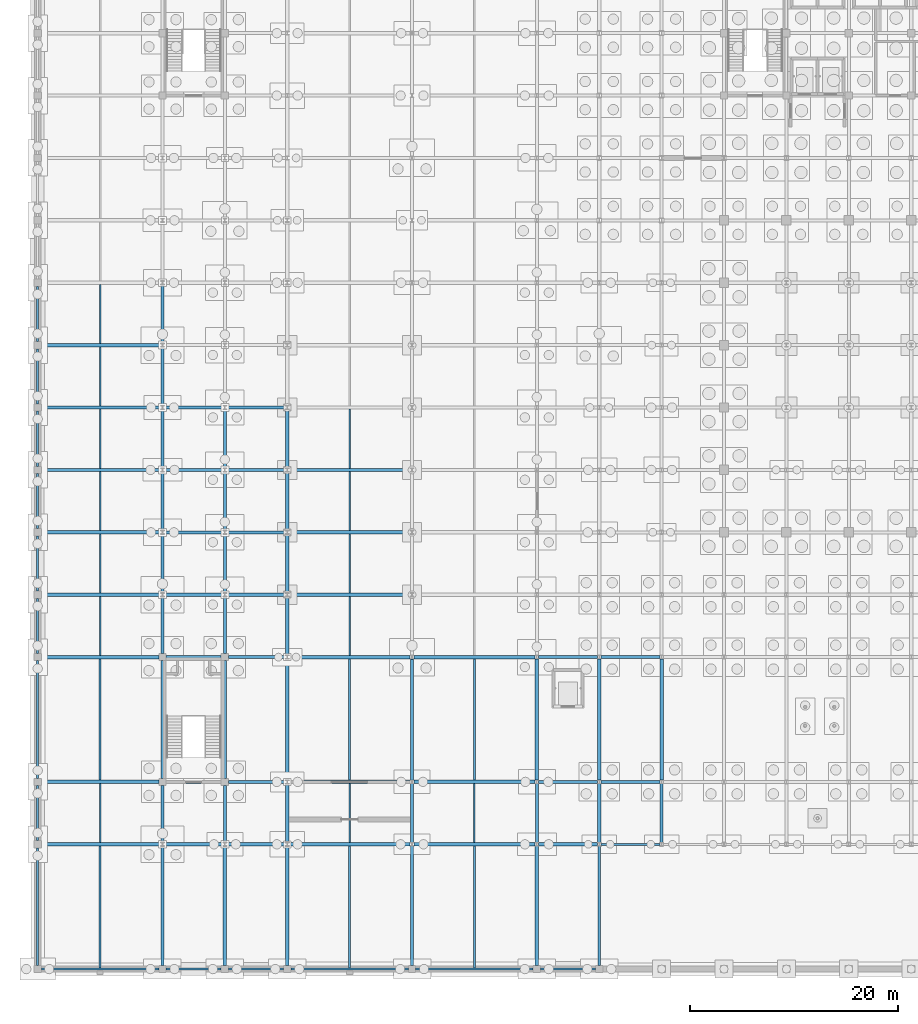
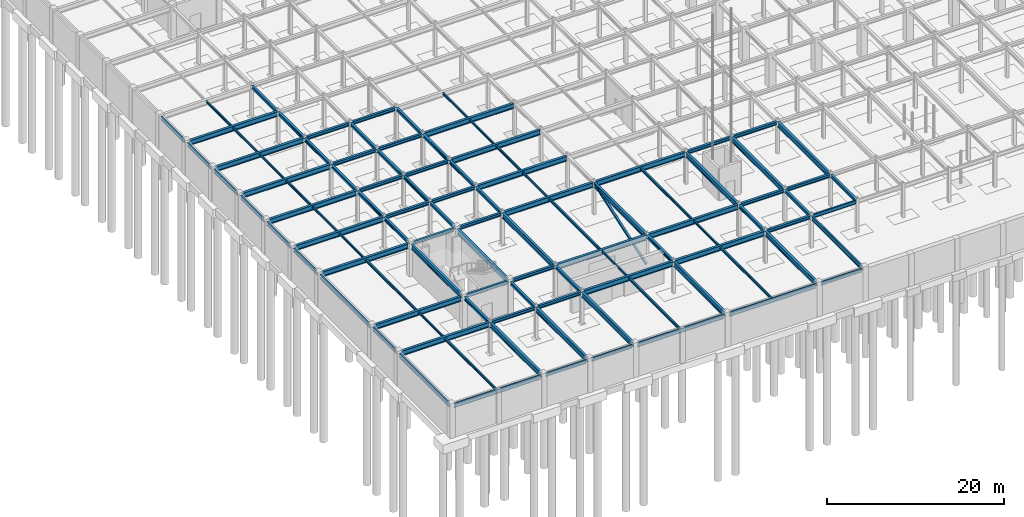
# One storey, part 34 of 69: 105 beams, 1 member.
"""IFC4 building model written with IfcOpenShell, lengths in metres."""

import ifcopenshell
import ifcopenshell.guid

model = None  # the IFC model being written
_history = None  # IfcOwnerHistory: only IFC2X3 demands one
_inside = {}  # id of a spatial element -> (the spatial element, [elements in it])
_under = {}  # id of a project, library or spatial element -> (it, [spatial elements below it])
_declared = {}  # id of a project -> (the project, [libraries it declares])
_typed = {}  # id of a type object -> (the type object, [elements of that type])
_made_of = {}  # id of a material, layer set ... -> (it, [elements and type objects made of it])


def new_model(schema):
    """Start an empty IFC model of exactly this schema.

    Asked for "IFC4X3", IfcOpenShell would pick the latest addendum, in which some entities
    have other attributes; the version numbers below select the first issue.
    IFC2X3 requires an IfcOwnerHistory on every rooted entity: one is made here for all.
    """
    global model, _history
    if schema == "IFC4X3":
        model = ifcopenshell.file(schema_version=(4, 3, 0, 0))
    else:
        model = ifcopenshell.file(schema=schema)
    _inside.clear()
    _under.clear()
    _declared.clear()
    _typed.clear()
    _made_of.clear()
    _history = None
    if model.schema == "IFC2X3":
        org = make("IfcOrganization", Name="unknown")
        user = make(
            "IfcPersonAndOrganization",
            ThePerson=make("IfcPerson", FamilyName="unknown"),
            TheOrganization=org,
        )
        app = make(
            "IfcApplication",
            ApplicationDeveloper=org,
            Version="unknown",
            ApplicationFullName="unknown",
            ApplicationIdentifier="unknown",
        )
        _history = make(
            "IfcOwnerHistory",
            OwningUser=user,
            OwningApplication=app,
            ChangeAction="ADDED",
            CreationDate=0,
        )
    return model


def make(cls, **values):
    """One entity of the class cls with the attributes given. An attribute that is None is left unset."""
    return model.create_entity(
        cls, **{name: value for name, value in values.items() if value is not None}
    )


def rooted(cls, **values):
    """An entity with a GlobalId (a new one), such as an element, a storey or a relation."""
    return make(cls, GlobalId=ifcopenshell.guid.new(), OwnerHistory=_history, **values)


def si_unit(unit_type, name, prefix=None):
    """IfcSIUnit, for example si_unit("LENGTHUNIT", "METRE", prefix="MILLI")."""
    return make("IfcSIUnit", UnitType=unit_type, Prefix=prefix, Name=name)


def assignment(units):
    """IfcUnitAssignment: the units of a project."""
    return None if units is None else make("IfcUnitAssignment", Units=units)


def point(xyz):
    """IfcCartesianPoint."""
    return None if xyz is None else make("IfcCartesianPoint", Coordinates=xyz)


def direction(xyz):
    """IfcDirection."""
    return None if xyz is None else make("IfcDirection", DirectionRatios=xyz)


def frame(location, z_axis=None, x_axis=None):
    """IfcAxis2Placement3D, a coordinate frame: its origin and axes. An axis left out is left unset."""
    return make(
        "IfcAxis2Placement3D",
        Location=point(location),
        Axis=direction(z_axis),
        RefDirection=direction(x_axis),
    )


def frame_2d(location, x_axis=None):
    """IfcAxis2Placement2D, a coordinate frame in the plane: its origin and x axis."""
    return make(
        "IfcAxis2Placement2D", Location=point(location), RefDirection=direction(x_axis)
    )


def origin():
    """The frame at (0, 0, 0) with its axes left unset."""
    return frame((0.0, 0.0, 0.0))


def origin_2d():
    """The frame at (0, 0) in the plane with its x axis left unset."""
    return frame_2d((0.0, 0.0))


def place(relative_to, where):
    """IfcLocalPlacement: puts the frame where relative to a parent placement (None: the world)."""
    return make(
        "IfcLocalPlacement", PlacementRelTo=relative_to, RelativePlacement=where
    )


def context(
    kind, dimensions, precision=None, world=None, true_north=None, identifier=None
):
    """IfcGeometricRepresentationContext, for example the 3D "Model" context."""
    return make(
        "IfcGeometricRepresentationContext",
        ContextIdentifier=identifier,
        ContextType=kind,
        CoordinateSpaceDimension=dimensions,
        Precision=precision,
        WorldCoordinateSystem=world,
        TrueNorth=true_north,
    )


def subcontext(parent, identifier, kind, view, scale=None):
    """IfcGeometricRepresentationSubContext, for example "Body" below "Model"."""
    return make(
        "IfcGeometricRepresentationSubContext",
        ContextIdentifier=identifier,
        ContextType=kind,
        ParentContext=parent,
        TargetScale=scale,
        TargetView=view,
    )


def project(units=None, contexts=None):
    """IfcProject with its units and contexts."""
    return rooted(
        "IfcProject",
        Name="project",
        RepresentationContexts=contexts,
        UnitsInContext=assignment(units),
    )


def spatial(cls, under=None, at=None, **own):
    """A site, building, storey or space (cls), placed at a placement, below another one or the project."""
    s = rooted(cls, ObjectPlacement=at, **own)
    if under is not None:
        _under.setdefault(under.id(), (under, []))[1].append(s)
    return s


def profile(cls, at=None, kind="AREA", **sizes):
    """A parametric profile (cls). Its sizes go by their IFC names, for example OverallWidth=200.0."""
    return make(cls, ProfileType=kind, Position=at, **sizes)


def hollow_rectangle(**sizes):
    """IfcRectangleHollowProfileDef."""
    return profile("IfcRectangleHollowProfileDef", **sizes)


def i_section(**sizes):
    """IfcIShapeProfileDef."""
    return profile("IfcIShapeProfileDef", **sizes)


def extrude(swept, where, along, depth):
    """IfcExtrudedAreaSolid: the profile swept, set in the frame where, extruded along a direction by depth."""
    return make(
        "IfcExtrudedAreaSolid",
        SweptArea=swept,
        Position=where,
        ExtrudedDirection=direction(along),
        Depth=depth,
    )


def shape(context_of_items, identifier, shape_type, items):
    """IfcShapeRepresentation: the items that make up one representation, for example the "Body"."""
    return make(
        "IfcShapeRepresentation",
        ContextOfItems=context_of_items,
        RepresentationIdentifier=identifier,
        RepresentationType=shape_type,
        Items=items,
    )


def material(Name=None, Category=None):
    """IfcMaterial."""
    return make("IfcMaterial", Name=Name, Category=Category)


def material_profile(
    of_material, cross_section, Name=None, Category=None, Priority=None
):
    """IfcMaterialProfile: a cross section and its material."""
    return make(
        "IfcMaterialProfile",
        Name=Name,
        Material=of_material,
        Profile=cross_section,
        Priority=Priority,
        Category=Category,
    )


def profile_set(profiles, Name=None, composite=None):
    """IfcMaterialProfileSet."""
    return make(
        "IfcMaterialProfileSet",
        Name=Name,
        MaterialProfiles=profiles,
        CompositeProfile=composite,
    )


def made_of(thing, what):
    """Note that an element or type object is made of a material, layer set ...; save() writes the relation."""
    if what is not None:
        _made_of.setdefault(what.id(), (what, []))[1].append(thing)
    return thing


def type_object(cls, material=None, **own):
    """A type object (cls), such as IfcWallType, which elements share."""
    return made_of(rooted(cls, **own), material)


def element(
    cls,
    number,
    at=None,
    inside=None,
    cuts=None,
    type_object=None,
    material=None,
    context=None,
    identifier="Body",
    shape_type=None,
    held_by="IfcProductDefinitionShape",
    body=None,
    shapes=None,
    **own,
):
    """One element of the class cls, such as IfcWall. Its Tag is "e" and its number.

    at: its placement. inside: the storey or other place that contains it. cuts: it is an
    opening in that element (IfcRelVoidsElement). A single representation is given by context,
    identifier, shape_type and body (its items); several are given by shapes. held_by: the class
    of the entity that holds the representations. save() writes the other relations.
    """
    e = rooted(cls, Tag="e%d" % number, ObjectPlacement=at, **own)
    if body is not None:
        shapes = [shape(context, identifier, shape_type, body)]
    if shapes is not None:
        e.Representation = make(held_by, Representations=shapes)
    if inside is not None:
        _inside.setdefault(inside.id(), (inside, []))[1].append(e)
    if cuts is not None:
        rooted(
            "IfcRelVoidsElement", RelatingBuildingElement=cuts, RelatedOpeningElement=e
        )
    if type_object is not None:
        _typed.setdefault(type_object.id(), (type_object, []))[1].append(e)
    return made_of(e, material)


def aggregate(whole, parts):
    """IfcRelAggregates: a whole, such as a stair, and the parts it consists of."""
    return rooted("IfcRelAggregates", RelatingObject=whole, RelatedObjects=parts)


def save(model, path):
    """Write the relations noted so far, then the file.

    IfcRelAggregates (storeys below a building ...), IfcRelContainedInSpatialStructure (elements
    in a storey), IfcRelDefinesByType, IfcRelAssociatesMaterial and IfcRelDeclares: one each for
    every whole, place, type object, material and project.
    """
    for whole, parts in _under.values():
        aggregate(whole, parts)
    for where, things in _inside.values():
        rooted(
            "IfcRelContainedInSpatialStructure",
            RelatedElements=things,
            RelatingStructure=where,
        )
    for kind, things in _typed.values():
        rooted("IfcRelDefinesByType", RelatedObjects=things, RelatingType=kind)
    for what, things in _made_of.values():
        rooted("IfcRelAssociatesMaterial", RelatedObjects=things, RelatingMaterial=what)
    for by, libraries in _declared.values():
        rooted("IfcRelDeclares", RelatingContext=by, RelatedDefinitions=libraries)
    model.write(path)


model = new_model("IFC4")

# Units and contexts
model_context = context("Model", 3, precision=1e-05, world=origin(), true_north=direction((0.0, 1.0)))
body_context = subcontext(model_context, "Body", "Model", "MODEL_VIEW")
ifc_project = project(units=[si_unit("LENGTHUNIT", "METRE"), si_unit("AREAUNIT", "SQUARE_METRE"), si_unit("VOLUMEUNIT", "CUBIC_METRE"), si_unit("PLANEANGLEUNIT", "RADIAN"), si_unit("MASSUNIT", "GRAM", prefix="KILO")], contexts=[model_context])

# Site, building, storey
site_placement = place(None, origin())
site = spatial("IfcSite", under=ifc_project, at=site_placement, CompositionType="ELEMENT")
building_placement = place(site_placement, origin())
building = spatial("IfcBuilding", under=site, at=building_placement, Name="Zlatovratsky Civic Hall", CompositionType="ELEMENT")
storey_placement = place(building_placement, frame((0.0, 0.0, -4.800048828125)))
storey = spatial("IfcBuildingStorey", under=building, at=storey_placement, Name="B1", CompositionType="ELEMENT", Elevation=-4.800048828125)

# Beams
ifc_material = material(Name="Steel S355", Category="steel")
ifc_material_profile_1 = material_profile(ifc_material, i_section(OverallWidth=0.320068359375, OverallDepth=0.68310546875, WebThickness=0.012939453125, FlangeThickness=0.01904296875, FilletRadius=0.02587890625, at=origin_2d()), Name="70Sh1")
ifc_profile_set_1 = profile_set([ifc_material_profile_1], Name="Steel S355")
beam_type_1 = type_object("IfcBeamType", Name="Beam_HallGirder_70Sh1", PredefinedType="BEAM", material=ifc_profile_set_1)
beam_1_placement = place(storey_placement, frame((0.35009765625, 12.0, 4.138427734375), z_axis=(1.0, 0.0, 0.0), x_axis=(0.0, 1.0, 0.0)))
element("IfcBeam", 1, at=beam_1_placement, inside=storey, type_object=beam_type_1, Name="BM-0013", PredefinedType="BEAM", context=body_context, shape_type="SweptSolid", body=[
    extrude(i_section(OverallWidth=0.320068359375, OverallDepth=0.68310546875, WebThickness=0.012939453125, FlangeThickness=0.01904296875, FilletRadius=0.02587890625, at=origin_2d()), origin(), (0.0, 0.0, 1.0), 11.474853515625),
])
for number, where, z_axis, x_axis, name in (
    (2, (24.175048828125, 12.0, 4.138427734375), (1.0, 0.0, 0.0), (0.0, 1.0, 0.0), "BM-0016"),
    (3, (36.175048828125, 12.0, 4.138427734375), (1.0, 0.0, 0.0), (0.0, 1.0, 0.0), "BM-0017"),
):
    element("IfcBeam", number, at=place(storey_placement, frame(where, z_axis=z_axis, x_axis=x_axis)), inside=storey, type_object=beam_type_1, Name=name, PredefinedType="BEAM", context=body_context, shape_type="SweptSolid", body=[
        extrude(i_section(OverallWidth=0.320068359375, OverallDepth=0.68310546875, WebThickness=0.012939453125, FlangeThickness=0.01904296875, FilletRadius=0.02587890625, at=origin_2d()), origin(), (0.0, 0.0, 1.0), 11.64990234375),
    ])
beam_2_placement = place(storey_placement, frame((0.35009765625, 18.0, 4.138427734375), z_axis=(1.0, 0.0, 0.0), x_axis=(0.0, 1.0, 0.0)))
element("IfcBeam", 4, at=beam_2_placement, inside=storey, type_object=beam_type_1, Name="BM-0035", PredefinedType="BEAM", context=body_context, shape_type="SweptSolid", body=[
    extrude(i_section(OverallWidth=0.320068359375, OverallDepth=0.68310546875, WebThickness=0.012939453125, FlangeThickness=0.01904296875, FilletRadius=0.02587890625, at=origin_2d()), origin(), (0.0, 0.0, 1.0), 11.2998046875),
])
for number, where, z_axis, x_axis, name in (
    (5, (24.175048828125, 18.0, 4.138427734375), (1.0, 0.0, 0.0), (0.0, 1.0, 0.0), "BM-0038"),
    (6, (36.175048828125, 18.0, 4.138427734375), (1.0, 0.0, 0.0), (0.0, 1.0, 0.0), "BM-0039"),
):
    element("IfcBeam", number, at=place(storey_placement, frame(where, z_axis=z_axis, x_axis=x_axis)), inside=storey, type_object=beam_type_1, Name=name, PredefinedType="BEAM", context=body_context, shape_type="SweptSolid", body=[
        extrude(i_section(OverallWidth=0.320068359375, OverallDepth=0.68310546875, WebThickness=0.012939453125, FlangeThickness=0.01904296875, FilletRadius=0.02587890625, at=origin_2d()), origin(), (0.0, 0.0, 1.0), 11.64990234375),
    ])
beam_3_placement = place(storey_placement, frame((0.35009765625, 30.0, 4.138427734375), z_axis=(1.0, 0.0, 0.0), x_axis=(0.0, 1.0, 0.0)))
element("IfcBeam", 7, at=beam_3_placement, inside=storey, type_object=beam_type_1, Name="BM-0057", PredefinedType="BEAM", context=body_context, shape_type="SweptSolid", body=[
    extrude(i_section(OverallWidth=0.320068359375, OverallDepth=0.68310546875, WebThickness=0.012939453125, FlangeThickness=0.01904296875, FilletRadius=0.02587890625, at=origin_2d()), origin(), (0.0, 0.0, 1.0), 11.2998046875),
])
for number, where, z_axis, x_axis, name in (
    (8, (24.175048828125, 30.0, 4.138427734375), (1.0, 0.0, 0.0), (0.0, 1.0, 0.0), "BM-0060"),
    (9, (36.175048828125, 30.0, 4.138427734375), (1.0, 0.0, 0.0), (0.0, 1.0, 0.0), "BM-0061"),
):
    element("IfcBeam", number, at=place(storey_placement, frame(where, z_axis=z_axis, x_axis=x_axis)), inside=storey, type_object=beam_type_1, Name=name, PredefinedType="BEAM", context=body_context, shape_type="SweptSolid", body=[
        extrude(i_section(OverallWidth=0.320068359375, OverallDepth=0.68310546875, WebThickness=0.012939453125, FlangeThickness=0.01904296875, FilletRadius=0.02587890625, at=origin_2d()), origin(), (0.0, 0.0, 1.0), 11.64990234375),
    ])
beam_4_placement = place(storey_placement, frame((0.35009765625, 36.0, 4.138427734375), z_axis=(1.0, 0.0, 0.0), x_axis=(0.0, 1.0, 0.0)))
element("IfcBeam", 10, at=beam_4_placement, inside=storey, type_object=beam_type_1, Name="BM-0079", PredefinedType="BEAM", context=body_context, shape_type="SweptSolid", body=[
    extrude(i_section(OverallWidth=0.320068359375, OverallDepth=0.68310546875, WebThickness=0.012939453125, FlangeThickness=0.01904296875, FilletRadius=0.02587890625, at=origin_2d()), origin(), (0.0, 0.0, 1.0), 11.474853515625),
])
beam_5_placement = place(storey_placement, frame((24.175048828125, 36.0, 4.138427734375), z_axis=(1.0, 0.0, 0.0), x_axis=(0.0, 1.0, 0.0)))
element("IfcBeam", 11, at=beam_5_placement, inside=storey, type_object=beam_type_1, Name="BM-0082", PredefinedType="BEAM", context=body_context, shape_type="SweptSolid", body=[
    extrude(i_section(OverallWidth=0.320068359375, OverallDepth=0.68310546875, WebThickness=0.012939453125, FlangeThickness=0.01904296875, FilletRadius=0.02587890625, at=origin_2d()), origin(), (0.0, 0.0, 1.0), 11.64990234375),
])
beam_6_placement = place(storey_placement, frame((0.35009765625, 42.0, 4.138427734375), z_axis=(1.0, 0.0, 0.0), x_axis=(0.0, 1.0, 0.0)))
element("IfcBeam", 12, at=beam_6_placement, inside=storey, type_object=beam_type_1, Name="BM-0101", PredefinedType="BEAM", context=body_context, shape_type="SweptSolid", body=[
    extrude(i_section(OverallWidth=0.320068359375, OverallDepth=0.68310546875, WebThickness=0.012939453125, FlangeThickness=0.01904296875, FilletRadius=0.02587890625, at=origin_2d()), origin(), (0.0, 0.0, 1.0), 11.474853515625),
])
beam_7_placement = place(storey_placement, frame((24.175048828125, 42.0, 4.138427734375), z_axis=(1.0, 0.0, 0.0), x_axis=(0.0, 1.0, 0.0)))
element("IfcBeam", 13, at=beam_7_placement, inside=storey, type_object=beam_type_1, Name="BM-0104", PredefinedType="BEAM", context=body_context, shape_type="SweptSolid", body=[
    extrude(i_section(OverallWidth=0.320068359375, OverallDepth=0.68310546875, WebThickness=0.012939453125, FlangeThickness=0.01904296875, FilletRadius=0.02587890625, at=origin_2d()), origin(), (0.0, 0.0, 1.0), 11.64990234375),
])
beam_8_placement = place(storey_placement, frame((0.35009765625, 48.0, 4.138427734375), z_axis=(1.0, 0.0, 0.0), x_axis=(0.0, 1.0, 0.0)))
element("IfcBeam", 14, at=beam_8_placement, inside=storey, type_object=beam_type_1, Name="BM-0123", PredefinedType="BEAM", context=body_context, shape_type="SweptSolid", body=[
    extrude(i_section(OverallWidth=0.320068359375, OverallDepth=0.68310546875, WebThickness=0.012939453125, FlangeThickness=0.01904296875, FilletRadius=0.02587890625, at=origin_2d()), origin(), (0.0, 0.0, 1.0), 11.474853515625),
])
beam_9_placement = place(storey_placement, frame((24.175048828125, 48.0, 4.138427734375), z_axis=(1.0, 0.0, 0.0), x_axis=(0.0, 1.0, 0.0)))
element("IfcBeam", 15, at=beam_9_placement, inside=storey, type_object=beam_type_1, Name="BM-0126", PredefinedType="BEAM", context=body_context, shape_type="SweptSolid", body=[
    extrude(i_section(OverallWidth=0.320068359375, OverallDepth=0.68310546875, WebThickness=0.012939453125, FlangeThickness=0.01904296875, FilletRadius=0.02587890625, at=origin_2d()), origin(), (0.0, 0.0, 1.0), 11.64990234375),
])
for number, where, z_axis, x_axis, name in (
    (16, (0.35009765625, 54.0, 4.138427734375), (1.0, 0.0, 0.0), (0.0, 1.0, 0.0), "BM-0145"),
    (17, (0.35009765625, 60.0, 4.138427734375), (1.0, 0.0, 0.0), (0.0, 1.0, 0.0), "BM-0167"),
    (18, (12.0, 0.35009765625, 4.138427734375), (0.0, 1.0, 0.0), (-1.0, 0.0, 0.0), "BM-0400"),
):
    element("IfcBeam", number, at=place(storey_placement, frame(where, z_axis=z_axis, x_axis=x_axis)), inside=storey, type_object=beam_type_1, Name=name, PredefinedType="BEAM", context=body_context, shape_type="SweptSolid", body=[
        extrude(i_section(OverallWidth=0.320068359375, OverallDepth=0.68310546875, WebThickness=0.012939453125, FlangeThickness=0.01904296875, FilletRadius=0.02587890625, at=origin_2d()), origin(), (0.0, 0.0, 1.0), 11.474853515625),
    ])
beam_10_placement = place(storey_placement, frame((12.0, 18.35009765625, 4.138427734375), z_axis=(0.0, 1.0, 0.0), x_axis=(-1.0, 0.0, 0.0)))
element("IfcBeam", 19, at=beam_10_placement, inside=storey, type_object=beam_type_1, Name="BM-0402", PredefinedType="BEAM", context=body_context, shape_type="SweptSolid", body=[
    extrude(i_section(OverallWidth=0.320068359375, OverallDepth=0.68310546875, WebThickness=0.012939453125, FlangeThickness=0.01904296875, FilletRadius=0.02587890625, at=origin_2d()), origin(), (0.0, 0.0, 1.0), 11.2998046875),
])
beam_11_placement = place(storey_placement, frame((18.0, 0.35009765625, 4.138427734375), z_axis=(0.0, 1.0, 0.0), x_axis=(-1.0, 0.0, 0.0)))
element("IfcBeam", 20, at=beam_11_placement, inside=storey, type_object=beam_type_1, Name="BM-0417", PredefinedType="BEAM", context=body_context, shape_type="SweptSolid", body=[
    extrude(i_section(OverallWidth=0.320068359375, OverallDepth=0.68310546875, WebThickness=0.012939453125, FlangeThickness=0.01904296875, FilletRadius=0.02587890625, at=origin_2d()), origin(), (0.0, 0.0, 1.0), 11.474853515625),
])
beam_12_placement = place(storey_placement, frame((18.0, 18.35009765625, 4.138427734375), z_axis=(0.0, 1.0, 0.0), x_axis=(-1.0, 0.0, 0.0)))
element("IfcBeam", 21, at=beam_12_placement, inside=storey, type_object=beam_type_1, Name="BM-0419", PredefinedType="BEAM", context=body_context, shape_type="SweptSolid", body=[
    extrude(i_section(OverallWidth=0.320068359375, OverallDepth=0.68310546875, WebThickness=0.012939453125, FlangeThickness=0.01904296875, FilletRadius=0.02587890625, at=origin_2d()), origin(), (0.0, 0.0, 1.0), 11.2998046875),
])
beam_13_placement = place(storey_placement, frame((24.0, 0.35009765625, 4.138427734375), z_axis=(0.0, 1.0, 0.0), x_axis=(-1.0, 0.0, 0.0)))
element("IfcBeam", 22, at=beam_13_placement, inside=storey, type_object=beam_type_1, Name="BM-0434", PredefinedType="BEAM", context=body_context, shape_type="SweptSolid", body=[
    extrude(i_section(OverallWidth=0.320068359375, OverallDepth=0.68310546875, WebThickness=0.012939453125, FlangeThickness=0.01904296875, FilletRadius=0.02587890625, at=origin_2d()), origin(), (0.0, 0.0, 1.0), 11.474853515625),
])
beam_14_placement = place(storey_placement, frame((24.0, 18.175048828125, 4.138427734375), z_axis=(0.0, 1.0, 0.0), x_axis=(-1.0, 0.0, 0.0)))
element("IfcBeam", 23, at=beam_14_placement, inside=storey, type_object=beam_type_1, Name="BM-0436", PredefinedType="BEAM", context=body_context, shape_type="SweptSolid", body=[
    extrude(i_section(OverallWidth=0.320068359375, OverallDepth=0.68310546875, WebThickness=0.012939453125, FlangeThickness=0.01904296875, FilletRadius=0.02587890625, at=origin_2d()), origin(), (0.0, 0.0, 1.0), 11.64990234375),
])
beam_15_placement = place(storey_placement, frame((36.0, 0.35009765625, 4.138427734375), z_axis=(0.0, 1.0, 0.0), x_axis=(-1.0, 0.0, 0.0)))
element("IfcBeam", 24, at=beam_15_placement, inside=storey, type_object=beam_type_1, Name="BM-0451", PredefinedType="BEAM", context=body_context, shape_type="SweptSolid", body=[
    extrude(i_section(OverallWidth=0.320068359375, OverallDepth=0.68310546875, WebThickness=0.012939453125, FlangeThickness=0.01904296875, FilletRadius=0.02587890625, at=origin_2d()), origin(), (0.0, 0.0, 1.0), 11.474853515625),
])
beam_16_placement = place(storey_placement, frame((36.0, 18.175048828125, 4.138427734375), z_axis=(0.0, 1.0, 0.0), x_axis=(-1.0, 0.0, 0.0)))
element("IfcBeam", 25, at=beam_16_placement, inside=storey, type_object=beam_type_1, Name="BM-0453", PredefinedType="BEAM", context=body_context, shape_type="SweptSolid", body=[
    extrude(i_section(OverallWidth=0.320068359375, OverallDepth=0.68310546875, WebThickness=0.012939453125, FlangeThickness=0.01904296875, FilletRadius=0.02587890625, at=origin_2d()), origin(), (0.0, 0.0, 1.0), 11.64990234375),
])
beam_17_placement = place(storey_placement, frame((48.0, 0.35009765625, 4.138427734375), z_axis=(0.0, 1.0, 0.0), x_axis=(-1.0, 0.0, 0.0)))
element("IfcBeam", 26, at=beam_17_placement, inside=storey, type_object=beam_type_1, Name="BM-0468", PredefinedType="BEAM", context=body_context, shape_type="SweptSolid", body=[
    extrude(i_section(OverallWidth=0.320068359375, OverallDepth=0.68310546875, WebThickness=0.012939453125, FlangeThickness=0.01904296875, FilletRadius=0.02587890625, at=origin_2d()), origin(), (0.0, 0.0, 1.0), 11.474853515625),
])
for number, where, z_axis, x_axis, name in (
    (27, (48.0, 18.175048828125, 4.138427734375), (0.0, 1.0, 0.0), (-1.0, 0.0, 0.0), "BM-0470"),
    (28, (54.0, 18.175048828125, 4.138427734375), (0.0, 1.0, 0.0), (-1.0, 0.0, 0.0), "BM-0487"),
    (29, (60.0, 18.175048828125, 4.138427734375), (0.0, 1.0, 0.0), (-1.0, 0.0, 0.0), "BM-0503"),
):
    element("IfcBeam", number, at=place(storey_placement, frame(where, z_axis=z_axis, x_axis=x_axis)), inside=storey, type_object=beam_type_1, Name=name, PredefinedType="BEAM", context=body_context, shape_type="SweptSolid", body=[
        extrude(i_section(OverallWidth=0.320068359375, OverallDepth=0.68310546875, WebThickness=0.012939453125, FlangeThickness=0.01904296875, FilletRadius=0.02587890625, at=origin_2d()), origin(), (0.0, 0.0, 1.0), 11.64990234375),
    ])
ifc_material_profile_2 = material_profile(ifc_material, i_section(OverallWidth=0.198974609375, OverallDepth=0.491943359375, WebThickness=0.0087890625, FlangeThickness=0.011962890625, FilletRadius=0.01611328125, at=origin_2d()), Name="50B1")
ifc_profile_set_2 = profile_set([ifc_material_profile_2], Name="Steel S355")
beam_type_2 = type_object("IfcBeamType", Name="Beam_Spandrel_50B1", PredefinedType="SPANDREL", material=ifc_profile_set_2)
for number, where, z_axis, x_axis, name in (
    (30, (12.35009765625, 0.0, 4.234130859375), (1.0, 0.0, 0.0), (0.0, 1.0, 0.0), "BM-0002"),
    (31, (18.35009765625, 0.0, 4.234130859375), (1.0, 0.0, 0.0), (0.0, 1.0, 0.0), "BM-0003"),
    (32, (48.35009765625, 0.0, 4.234130859375), (1.0, 0.0, 0.0), (0.0, 1.0, 0.0), "BM-0006"),
):
    element("IfcBeam", number, at=place(storey_placement, frame(where, z_axis=z_axis, x_axis=x_axis)), inside=storey, type_object=beam_type_2, Name=name, PredefinedType="SPANDREL", context=body_context, shape_type="SweptSolid", body=[
        extrude(i_section(OverallWidth=0.198974609375, OverallDepth=0.491943359375, WebThickness=0.0087890625, FlangeThickness=0.011962890625, FilletRadius=0.01611328125, at=origin_2d()), origin(), (0.0, 0.0, 1.0), 5.2998046875),
    ])
beam_18_placement = place(storey_placement, frame((54.175048828125, 12.0, 4.234130859375), z_axis=(1.0, 0.0, 0.0), x_axis=(0.0, 1.0, 0.0)))
element("IfcBeam", 33, at=beam_18_placement, inside=storey, type_object=beam_type_2, Name="BM-0019", PredefinedType="SPANDREL", context=body_context, shape_type="SweptSolid", body=[
    extrude(i_section(OverallWidth=0.198974609375, OverallDepth=0.491943359375, WebThickness=0.0087890625, FlangeThickness=0.011962890625, FilletRadius=0.01611328125, at=origin_2d()), origin(), (0.0, 0.0, 1.0), 5.64990234375),
])
for number, where, z_axis, x_axis, name in (
    (34, (0.0, 12.35009765625, 4.234130859375), (0.0, 1.0, 0.0), (-1.0, 0.0, 0.0), "BM-0384"),
    (35, (0.0, 30.35009765625, 4.234130859375), (0.0, 1.0, 0.0), (-1.0, 0.0, 0.0), "BM-0386"),
    (36, (0.0, 36.35009765625, 4.234130859375), (0.0, 1.0, 0.0), (-1.0, 0.0, 0.0), "BM-0387"),
    (37, (0.0, 42.35009765625, 4.234130859375), (0.0, 1.0, 0.0), (-1.0, 0.0, 0.0), "BM-0388"),
    (38, (0.0, 48.35009765625, 4.234130859375), (0.0, 1.0, 0.0), (-1.0, 0.0, 0.0), "BM-0389"),
    (39, (0.0, 54.35009765625, 4.234130859375), (0.0, 1.0, 0.0), (-1.0, 0.0, 0.0), "BM-0390"),
    (40, (0.0, 60.35009765625, 4.234130859375), (0.0, 1.0, 0.0), (-1.0, 0.0, 0.0), "BM-0391"),
):
    element("IfcBeam", number, at=place(storey_placement, frame(where, z_axis=z_axis, x_axis=x_axis)), inside=storey, type_object=beam_type_2, Name=name, PredefinedType="SPANDREL", context=body_context, shape_type="SweptSolid", body=[
        extrude(i_section(OverallWidth=0.198974609375, OverallDepth=0.491943359375, WebThickness=0.0087890625, FlangeThickness=0.011962890625, FilletRadius=0.01611328125, at=origin_2d()), origin(), (0.0, 0.0, 1.0), 5.2998046875),
    ])
ifc_material_profile_3 = material_profile(ifc_material, i_section(OverallWidth=0.198974609375, OverallDepth=0.593017578125, WebThickness=0.010498046875, FlangeThickness=0.014892578125, FilletRadius=0.01806640625, at=origin_2d()), Name="60B1")
ifc_profile_set_3 = profile_set([ifc_material_profile_3], Name="Steel S355")
beam_type_3 = type_object("IfcBeamType", Name="Beam_Spandrel_60B1", PredefinedType="SPANDREL", material=ifc_profile_set_3)
for number, where, z_axis, x_axis, name in (
    (41, (0.35009765625, 0.0, 4.18359375), (1.0, 0.0, 0.0), (0.0, 1.0, 0.0), "BM-0001"),
    (42, (24.35009765625, 0.0, 4.18359375), (1.0, 0.0, 0.0), (0.0, 1.0, 0.0), "BM-0004"),
    (43, (36.35009765625, 0.0, 4.18359375), (1.0, 0.0, 0.0), (0.0, 1.0, 0.0), "BM-0005"),
    (44, (0.0, 0.35009765625, 4.18359375), (0.0, 1.0, 0.0), (-1.0, 0.0, 0.0), "BM-0383"),
    (45, (0.0, 18.35009765625, 4.18359375), (0.0, 1.0, 0.0), (-1.0, 0.0, 0.0), "BM-0385"),
):
    element("IfcBeam", number, at=place(storey_placement, frame(where, z_axis=z_axis, x_axis=x_axis)), inside=storey, type_object=beam_type_3, Name=name, PredefinedType="SPANDREL", context=body_context, shape_type="SweptSolid", body=[
        extrude(i_section(OverallWidth=0.198974609375, OverallDepth=0.593017578125, WebThickness=0.010498046875, FlangeThickness=0.014892578125, FilletRadius=0.01806640625, at=origin_2d()), origin(), (0.0, 0.0, 1.0), 11.2998046875),
    ])
beam_19_placement = place(storey_placement, frame((54.0, 0.35009765625, 4.18359375), z_axis=(0.0, 1.0, 0.0), x_axis=(-1.0, 0.0, 0.0)))
element("IfcBeam", 46, at=beam_19_placement, inside=storey, type_object=beam_type_3, Name="BM-0485", PredefinedType="SPANDREL", context=body_context, shape_type="SweptSolid", body=[
    extrude(i_section(OverallWidth=0.198974609375, OverallDepth=0.593017578125, WebThickness=0.010498046875, FlangeThickness=0.014892578125, FilletRadius=0.01806640625, at=origin_2d()), origin(), (0.0, 0.0, 1.0), 11.474853515625),
])
ifc_material_profile_4 = material_profile(ifc_material, i_section(OverallWidth=0.300048828125, OverallDepth=0.43994140625, WebThickness=0.010986328125, FlangeThickness=0.01806640625, FilletRadius=0.02197265625, at=origin_2d()), Name="45Sh1")
ifc_profile_set_4 = profile_set([ifc_material_profile_4], Name="Steel S355")
beam_type_4 = type_object("IfcBeamType", Name="Beam_TowerLow_45Sh1", PredefinedType="BEAM", material=ifc_profile_set_4)
for number, where, z_axis, x_axis, name in (
    (47, (12.175048828125, 12.0, 4.260009765625), (1.0, 0.0, 0.0), (0.0, 1.0, 0.0), "BM-0014"),
    (48, (18.175048828125, 12.0, 4.260009765625), (1.0, 0.0, 0.0), (0.0, 1.0, 0.0), "BM-0015"),
    (49, (48.175048828125, 12.0, 4.260009765625), (1.0, 0.0, 0.0), (0.0, 1.0, 0.0), "BM-0018"),
):
    element("IfcBeam", number, at=place(storey_placement, frame(where, z_axis=z_axis, x_axis=x_axis)), inside=storey, type_object=beam_type_4, Name=name, PredefinedType="BEAM", context=body_context, shape_type="SweptSolid", body=[
        extrude(i_section(OverallWidth=0.300048828125, OverallDepth=0.43994140625, WebThickness=0.010986328125, FlangeThickness=0.01806640625, FilletRadius=0.02197265625, at=origin_2d()), origin(), (0.0, 0.0, 1.0), 5.64990234375),
    ])
beam_20_placement = place(storey_placement, frame((12.35009765625, 18.0, 4.260009765625), z_axis=(1.0, 0.0, 0.0), x_axis=(0.0, 1.0, 0.0)))
element("IfcBeam", 50, at=beam_20_placement, inside=storey, type_object=beam_type_4, Name="BM-0036", PredefinedType="BEAM", context=body_context, shape_type="SweptSolid", body=[
    extrude(i_section(OverallWidth=0.300048828125, OverallDepth=0.43994140625, WebThickness=0.010986328125, FlangeThickness=0.01806640625, FilletRadius=0.02197265625, at=origin_2d()), origin(), (0.0, 0.0, 1.0), 5.2998046875),
])
beam_21_placement = place(storey_placement, frame((18.35009765625, 18.0, 4.260009765625), z_axis=(1.0, 0.0, 0.0), x_axis=(0.0, 1.0, 0.0)))
element("IfcBeam", 51, at=beam_21_placement, inside=storey, type_object=beam_type_4, Name="BM-0037", PredefinedType="BEAM", context=body_context, shape_type="SweptSolid", body=[
    extrude(i_section(OverallWidth=0.300048828125, OverallDepth=0.43994140625, WebThickness=0.010986328125, FlangeThickness=0.01806640625, FilletRadius=0.02197265625, at=origin_2d()), origin(), (0.0, 0.0, 1.0), 5.474853515625),
])
for number, where, z_axis, x_axis, name in (
    (52, (48.175048828125, 18.0, 4.260009765625), (1.0, 0.0, 0.0), (0.0, 1.0, 0.0), "BM-0040"),
    (53, (54.175048828125, 18.0, 4.260009765625), (1.0, 0.0, 0.0), (0.0, 1.0, 0.0), "BM-0041"),
):
    element("IfcBeam", number, at=place(storey_placement, frame(where, z_axis=z_axis, x_axis=x_axis)), inside=storey, type_object=beam_type_4, Name=name, PredefinedType="BEAM", context=body_context, shape_type="SweptSolid", body=[
        extrude(i_section(OverallWidth=0.300048828125, OverallDepth=0.43994140625, WebThickness=0.010986328125, FlangeThickness=0.01806640625, FilletRadius=0.02197265625, at=origin_2d()), origin(), (0.0, 0.0, 1.0), 5.64990234375),
    ])
beam_22_placement = place(storey_placement, frame((12.35009765625, 30.0, 4.260009765625), z_axis=(1.0, 0.0, 0.0), x_axis=(0.0, 1.0, 0.0)))
element("IfcBeam", 54, at=beam_22_placement, inside=storey, type_object=beam_type_4, Name="BM-0058", PredefinedType="BEAM", context=body_context, shape_type="SweptSolid", body=[
    extrude(i_section(OverallWidth=0.300048828125, OverallDepth=0.43994140625, WebThickness=0.010986328125, FlangeThickness=0.01806640625, FilletRadius=0.02197265625, at=origin_2d()), origin(), (0.0, 0.0, 1.0), 5.2998046875),
])
beam_23_placement = place(storey_placement, frame((18.35009765625, 30.0, 4.260009765625), z_axis=(1.0, 0.0, 0.0), x_axis=(0.0, 1.0, 0.0)))
element("IfcBeam", 55, at=beam_23_placement, inside=storey, type_object=beam_type_4, Name="BM-0059", PredefinedType="BEAM", context=body_context, shape_type="SweptSolid", body=[
    extrude(i_section(OverallWidth=0.300048828125, OverallDepth=0.43994140625, WebThickness=0.010986328125, FlangeThickness=0.01806640625, FilletRadius=0.02197265625, at=origin_2d()), origin(), (0.0, 0.0, 1.0), 5.474853515625),
])
for number, where, z_axis, x_axis, name in (
    (56, (48.175048828125, 30.0, 4.260009765625), (1.0, 0.0, 0.0), (0.0, 1.0, 0.0), "BM-0062"),
    (57, (54.175048828125, 30.0, 4.260009765625), (1.0, 0.0, 0.0), (0.0, 1.0, 0.0), "BM-0063"),
    (58, (12.175048828125, 36.0, 4.260009765625), (1.0, 0.0, 0.0), (0.0, 1.0, 0.0), "BM-0080"),
    (59, (18.175048828125, 36.0, 4.260009765625), (1.0, 0.0, 0.0), (0.0, 1.0, 0.0), "BM-0081"),
    (60, (12.175048828125, 42.0, 4.260009765625), (1.0, 0.0, 0.0), (0.0, 1.0, 0.0), "BM-0102"),
    (61, (18.175048828125, 42.0, 4.260009765625), (1.0, 0.0, 0.0), (0.0, 1.0, 0.0), "BM-0103"),
    (62, (12.175048828125, 48.0, 4.260009765625), (1.0, 0.0, 0.0), (0.0, 1.0, 0.0), "BM-0124"),
    (63, (18.175048828125, 48.0, 4.260009765625), (1.0, 0.0, 0.0), (0.0, 1.0, 0.0), "BM-0125"),
    (64, (12.175048828125, 54.0, 4.260009765625), (1.0, 0.0, 0.0), (0.0, 1.0, 0.0), "BM-0146"),
    (65, (18.175048828125, 54.0, 4.260009765625), (1.0, 0.0, 0.0), (0.0, 1.0, 0.0), "BM-0147"),
):
    element("IfcBeam", number, at=place(storey_placement, frame(where, z_axis=z_axis, x_axis=x_axis)), inside=storey, type_object=beam_type_4, Name=name, PredefinedType="BEAM", context=body_context, shape_type="SweptSolid", body=[
        extrude(i_section(OverallWidth=0.300048828125, OverallDepth=0.43994140625, WebThickness=0.010986328125, FlangeThickness=0.01806640625, FilletRadius=0.02197265625, at=origin_2d()), origin(), (0.0, 0.0, 1.0), 5.64990234375),
    ])
for number, where, z_axis, x_axis, name in (
    (66, (12.0, 12.175048828125, 4.260009765625), (0.0, 1.0, 0.0), (-1.0, 0.0, 0.0), "BM-0401"),
    (67, (12.0, 30.35009765625, 4.260009765625), (0.0, 1.0, 0.0), (-1.0, 0.0, 0.0), "BM-0403"),
):
    element("IfcBeam", number, at=place(storey_placement, frame(where, z_axis=z_axis, x_axis=x_axis)), inside=storey, type_object=beam_type_4, Name=name, PredefinedType="BEAM", context=body_context, shape_type="SweptSolid", body=[
        extrude(i_section(OverallWidth=0.300048828125, OverallDepth=0.43994140625, WebThickness=0.010986328125, FlangeThickness=0.01806640625, FilletRadius=0.02197265625, at=origin_2d()), origin(), (0.0, 0.0, 1.0), 5.474853515625),
    ])
for number, where, z_axis, x_axis, name in (
    (68, (12.0, 36.175048828125, 4.260009765625), (0.0, 1.0, 0.0), (-1.0, 0.0, 0.0), "BM-0404"),
    (69, (12.0, 42.175048828125, 4.260009765625), (0.0, 1.0, 0.0), (-1.0, 0.0, 0.0), "BM-0405"),
    (70, (12.0, 48.175048828125, 4.260009765625), (0.0, 1.0, 0.0), (-1.0, 0.0, 0.0), "BM-0406"),
    (71, (12.0, 54.175048828125, 4.260009765625), (0.0, 1.0, 0.0), (-1.0, 0.0, 0.0), "BM-0407"),
    (72, (12.0, 60.175048828125, 4.260009765625), (0.0, 1.0, 0.0), (-1.0, 0.0, 0.0), "BM-0408"),
):
    element("IfcBeam", number, at=place(storey_placement, frame(where, z_axis=z_axis, x_axis=x_axis)), inside=storey, type_object=beam_type_4, Name=name, PredefinedType="BEAM", context=body_context, shape_type="SweptSolid", body=[
        extrude(i_section(OverallWidth=0.300048828125, OverallDepth=0.43994140625, WebThickness=0.010986328125, FlangeThickness=0.01806640625, FilletRadius=0.02197265625, at=origin_2d()), origin(), (0.0, 0.0, 1.0), 5.64990234375),
    ])
for number, where, z_axis, x_axis, name in (
    (73, (18.0, 12.175048828125, 4.260009765625), (0.0, 1.0, 0.0), (-1.0, 0.0, 0.0), "BM-0418"),
    (74, (18.0, 30.35009765625, 4.260009765625), (0.0, 1.0, 0.0), (-1.0, 0.0, 0.0), "BM-0420"),
):
    element("IfcBeam", number, at=place(storey_placement, frame(where, z_axis=z_axis, x_axis=x_axis)), inside=storey, type_object=beam_type_4, Name=name, PredefinedType="BEAM", context=body_context, shape_type="SweptSolid", body=[
        extrude(i_section(OverallWidth=0.300048828125, OverallDepth=0.43994140625, WebThickness=0.010986328125, FlangeThickness=0.01806640625, FilletRadius=0.02197265625, at=origin_2d()), origin(), (0.0, 0.0, 1.0), 5.474853515625),
    ])
for number, where, z_axis, x_axis, name in (
    (75, (18.0, 36.175048828125, 4.260009765625), (0.0, 1.0, 0.0), (-1.0, 0.0, 0.0), "BM-0421"),
    (76, (18.0, 42.175048828125, 4.260009765625), (0.0, 1.0, 0.0), (-1.0, 0.0, 0.0), "BM-0422"),
    (77, (18.0, 48.175048828125, 4.260009765625), (0.0, 1.0, 0.0), (-1.0, 0.0, 0.0), "BM-0423"),
    (78, (24.0, 12.175048828125, 4.260009765625), (0.0, 1.0, 0.0), (-1.0, 0.0, 0.0), "BM-0435"),
    (79, (24.0, 30.175048828125, 4.260009765625), (0.0, 1.0, 0.0), (-1.0, 0.0, 0.0), "BM-0437"),
    (80, (24.0, 36.175048828125, 4.260009765625), (0.0, 1.0, 0.0), (-1.0, 0.0, 0.0), "BM-0438"),
    (81, (24.0, 42.175048828125, 4.260009765625), (0.0, 1.0, 0.0), (-1.0, 0.0, 0.0), "BM-0439"),
    (82, (24.0, 48.175048828125, 4.260009765625), (0.0, 1.0, 0.0), (-1.0, 0.0, 0.0), "BM-0440"),
    (83, (36.0, 12.175048828125, 4.260009765625), (0.0, 1.0, 0.0), (-1.0, 0.0, 0.0), "BM-0452"),
    (84, (48.0, 12.175048828125, 4.260009765625), (0.0, 1.0, 0.0), (-1.0, 0.0, 0.0), "BM-0469"),
    (85, (54.0, 12.175048828125, 4.260009765625), (0.0, 1.0, 0.0), (-1.0, 0.0, 0.0), "BM-0486"),
    (86, (60.0, 12.175048828125, 4.260009765625), (0.0, 1.0, 0.0), (-1.0, 0.0, 0.0), "BM-0502"),
):
    element("IfcBeam", number, at=place(storey_placement, frame(where, z_axis=z_axis, x_axis=x_axis)), inside=storey, type_object=beam_type_4, Name=name, PredefinedType="BEAM", context=body_context, shape_type="SweptSolid", body=[
        extrude(i_section(OverallWidth=0.300048828125, OverallDepth=0.43994140625, WebThickness=0.010986328125, FlangeThickness=0.01806640625, FilletRadius=0.02197265625, at=origin_2d()), origin(), (0.0, 0.0, 1.0), 5.64990234375),
    ])

# Member
ifc_material_profile_5 = material_profile(ifc_material, hollow_rectangle(XDim=0.25, YDim=0.25, WallThickness=0.011962890625, at=origin_2d()), Name="SHS 250x250x12")
ifc_profile_set_5 = profile_set([ifc_material_profile_5], Name="Steel S355")
member_type = type_object("IfcMemberType", Name="Brace_Substructure_SHS250", PredefinedType="BRACE", material=ifc_profile_set_5)
member_placement = place(storey_placement, frame((36.0, 18.175048828125, 0.25), z_axis=(0.0, 0.945802693251, 0.324741844298), x_axis=(-1.0, 0.0, 0.0)))
element("IfcMember", 87, at=member_placement, inside=storey, type_object=member_type, Name="MB-0088", PredefinedType="BRACE", context=body_context, shape_type="SweptSolid", body=[
    extrude(hollow_rectangle(XDim=0.25, YDim=0.25, WallThickness=0.011962890625, at=origin_2d()), origin(), (0.0, 0.0, 1.0), 12.3173828125),
])

# Beams
ifc_material_profile_6 = material_profile(ifc_material, i_section(OverallWidth=0.175048828125, OverallDepth=0.35009765625, WebThickness=0.007080078125, FlangeThickness=0.010986328125, FilletRadius=0.013916015625, at=origin_2d()), Name="35B2")
ifc_profile_set_6 = profile_set([ifc_material_profile_6], Name="Steel S355")
beam_type_5 = type_object("IfcBeamType", Name="Joist_Heavy_35B2", PredefinedType="JOIST", material=ifc_profile_set_6)
for number, where, z_axis, x_axis, name in (
    (88, (6.0, 0.099609375, 4.304931640625), (0.0, 1.0, 0.0), (-1.0, 0.0, 0.0), "BM-0765"),
    (89, (30.0, 0.099609375, 4.304931640625), (0.0, 1.0, 0.0), (-1.0, 0.0, 0.0), "BM-0766"),
    (90, (42.0, 0.099609375, 4.304931640625), (0.0, 1.0, 0.0), (-1.0, 0.0, 0.0), "BM-0767"),
):
    element("IfcBeam", number, at=place(storey_placement, frame(where, z_axis=z_axis, x_axis=x_axis)), inside=storey, type_object=beam_type_5, Name=name, PredefinedType="JOIST", context=body_context, shape_type="SweptSolid", body=[
        extrude(i_section(OverallWidth=0.175048828125, OverallDepth=0.35009765625, WebThickness=0.007080078125, FlangeThickness=0.010986328125, FilletRadius=0.013916015625, at=origin_2d()), origin(), (0.0, 0.0, 1.0), 11.740478515625),
    ])
for number, where, z_axis, x_axis, name in (
    (91, (6.0, 18.159912109375, 4.304931640625), (0.0, 1.0, 0.0), (-1.0, 0.0, 0.0), "BM-0777"),
    (92, (30.0, 18.159912109375, 4.304931640625), (0.0, 1.0, 0.0), (-1.0, 0.0, 0.0), "BM-0778"),
    (93, (42.0, 18.159912109375, 4.304931640625), (0.0, 1.0, 0.0), (-1.0, 0.0, 0.0), "BM-0779"),
):
    element("IfcBeam", number, at=place(storey_placement, frame(where, z_axis=z_axis, x_axis=x_axis)), inside=storey, type_object=beam_type_5, Name=name, PredefinedType="JOIST", context=body_context, shape_type="SweptSolid", body=[
        extrude(i_section(OverallWidth=0.175048828125, OverallDepth=0.35009765625, WebThickness=0.007080078125, FlangeThickness=0.010986328125, FilletRadius=0.013916015625, at=origin_2d()), origin(), (0.0, 0.0, 1.0), 11.68017578125),
    ])
ifc_material_profile_7 = material_profile(ifc_material, i_section(OverallWidth=0.14990234375, OverallDepth=0.300048828125, WebThickness=0.006591796875, FlangeThickness=0.009033203125, FilletRadius=0.012939453125, at=origin_2d()), Name="30B2")
ifc_profile_set_7 = profile_set([ifc_material_profile_7], Name="Steel S355")
beam_type_6 = type_object("IfcBeamType", Name="Joist_Podium_30B2", PredefinedType="JOIST", material=ifc_profile_set_7)
for number, where, z_axis, x_axis, name in (
    (94, (6.0, 12.159912109375, 4.330078125), (0.0, 1.0, 0.0), (-1.0, 0.0, 0.0), "BM-0771"),
    (95, (30.0, 12.159912109375, 4.330078125), (0.0, 1.0, 0.0), (-1.0, 0.0, 0.0), "BM-0772"),
    (96, (42.0, 12.159912109375, 4.330078125), (0.0, 1.0, 0.0), (-1.0, 0.0, 0.0), "BM-0773"),
    (97, (6.0, 30.159912109375, 4.330078125), (0.0, 1.0, 0.0), (-1.0, 0.0, 0.0), "BM-0783"),
    (98, (30.0, 30.159912109375, 4.330078125), (0.0, 1.0, 0.0), (-1.0, 0.0, 0.0), "BM-0784"),
    (99, (6.0, 36.159912109375, 4.330078125), (0.0, 1.0, 0.0), (-1.0, 0.0, 0.0), "BM-0789"),
    (100, (30.0, 36.159912109375, 4.330078125), (0.0, 1.0, 0.0), (-1.0, 0.0, 0.0), "BM-0790"),
    (101, (6.0, 42.159912109375, 4.330078125), (0.0, 1.0, 0.0), (-1.0, 0.0, 0.0), "BM-0795"),
    (102, (30.0, 42.159912109375, 4.330078125), (0.0, 1.0, 0.0), (-1.0, 0.0, 0.0), "BM-0796"),
    (103, (6.0, 48.159912109375, 4.330078125), (0.0, 1.0, 0.0), (-1.0, 0.0, 0.0), "BM-0801"),
    (104, (30.0, 48.159912109375, 4.330078125), (0.0, 1.0, 0.0), (-1.0, 0.0, 0.0), "BM-0802"),
    (105, (6.0, 54.159912109375, 4.330078125), (0.0, 1.0, 0.0), (-1.0, 0.0, 0.0), "BM-0807"),
    (106, (6.0, 60.159912109375, 4.330078125), (0.0, 1.0, 0.0), (-1.0, 0.0, 0.0), "BM-0813"),
):
    element("IfcBeam", number, at=place(storey_placement, frame(where, z_axis=z_axis, x_axis=x_axis)), inside=storey, type_object=beam_type_6, Name=name, PredefinedType="JOIST", context=body_context, shape_type="SweptSolid", body=[
        extrude(i_section(OverallWidth=0.14990234375, OverallDepth=0.300048828125, WebThickness=0.006591796875, FlangeThickness=0.009033203125, FilletRadius=0.012939453125, at=origin_2d()), origin(), (0.0, 0.0, 1.0), 5.68017578125),
    ])

save(model, "model.ifc")
